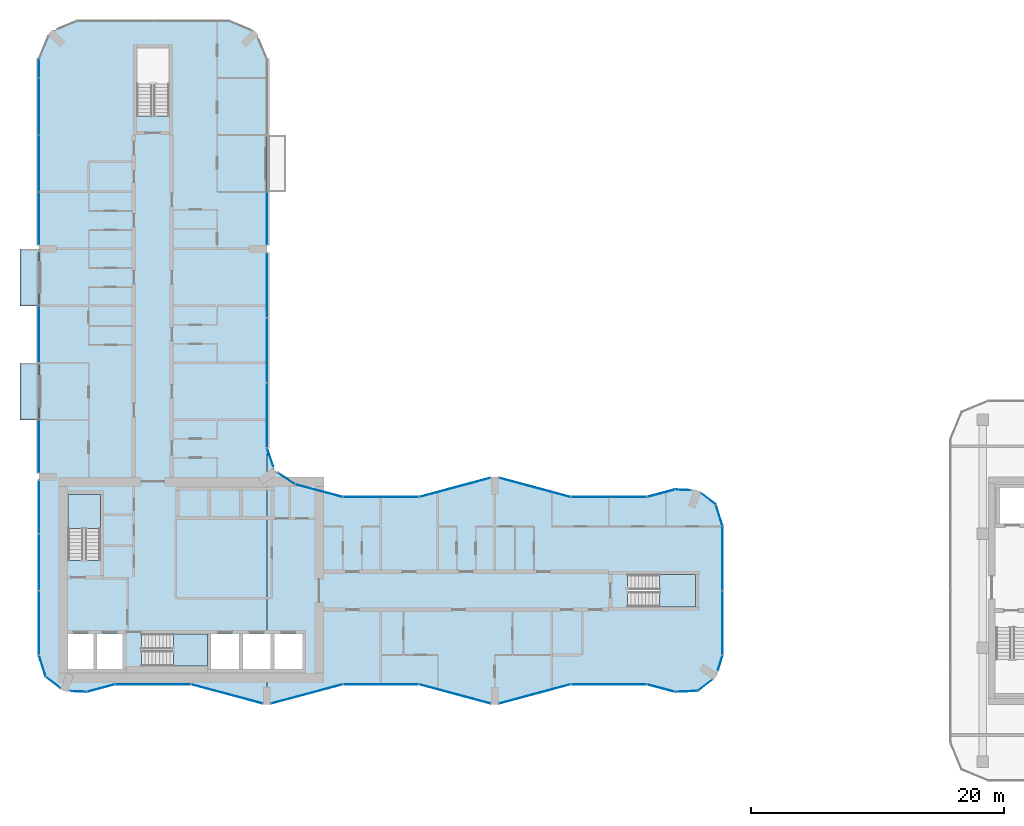
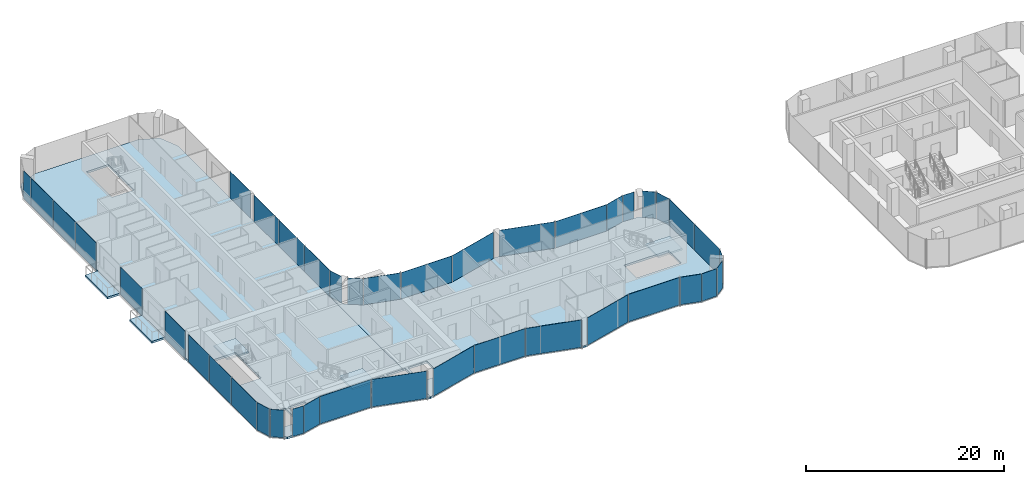
# One storey, part 12 of 24: 41 plates, 7 slabs, 36 elements without a shape of their own.
"""IFC4 building model written with IfcOpenShell, lengths in metres."""

from ifc_helpers import new_model, si_unit, direction, frame, origin, origin_2d, place, context, subcontext, project, spatial, polyline, rectangle, outline, extrude, material, layer, layer_set, type_object, element, aggregate, save


model = new_model("IFC4")

# Units and contexts
model_context = context("Model", 3, precision=1e-05, world=origin(), true_north=direction((0.0, 1.0)))
body_context = subcontext(model_context, "Body", "Model", "MODEL_VIEW")
ifc_project = project(units=[si_unit("LENGTHUNIT", "METRE"), si_unit("AREAUNIT", "SQUARE_METRE"), si_unit("VOLUMEUNIT", "CUBIC_METRE"), si_unit("PLANEANGLEUNIT", "RADIAN"), si_unit("MASSUNIT", "GRAM", prefix="KILO")], contexts=[model_context])

# Site, building, storey
site_placement = place(None, origin())
site = spatial("IfcSite", under=ifc_project, at=site_placement, CompositionType="ELEMENT")
building_placement = place(site_placement, origin())
building = spatial("IfcBuilding", under=site, at=building_placement, Name="Plateau Cross Towers", CompositionType="ELEMENT")
storey_placement = place(building_placement, frame((0.0, 0.0, 44.300048828125)))
storey = spatial("IfcBuildingStorey", under=building, at=storey_placement, Name="L10", CompositionType="ELEMENT", Elevation=44.300048828125)

# Slabs
ifc_material_1 = material(Name="Concrete C40/50", Category="concrete")
ifc_layer_1 = layer(ifc_material_1, 0.25)
ifc_layer_set_1 = layer_set([ifc_layer_1], Name="Concrete C40/50")
slab_type_1 = type_object("IfcSlabType", Name="Balcony slab 250", PredefinedType="FLOOR", material=ifc_layer_set_1)
slab_1_placement = place(storey_placement, frame((0.0, 0.0, -0.25)))
element("IfcSlab", 1, at=slab_1_placement, inside=storey, type_object=slab_type_1, Name="Balcony slab A-BAL-L10-01", PredefinedType="FLOOR", context=body_context, shape_type="SweptSolid", body=[
    extrude(outline(polyline([(0.0, 22.5), (0.0, 27.0), (-1.5, 27.0), (-1.5, 22.5), (0.0, 22.5)])), origin(), (0.0, 0.0, 1.0), 0.25),
])
slab_2_placement = place(storey_placement, frame((0.0, 0.0, -0.25)))
element("IfcSlab", 2, at=slab_2_placement, inside=storey, type_object=slab_type_1, Name="Balcony slab A-BAL-L10-02", PredefinedType="FLOOR", context=body_context, shape_type="SweptSolid", body=[
    extrude(outline(polyline([(0.0, 31.5), (0.0, 36.0), (-1.5, 36.0), (-1.5, 31.5), (0.0, 31.5)])), origin(), (0.0, 0.0, 1.0), 0.25),
])

# Curtain wall, plate
ifc_material_2 = material(Name="Dark low-iron glass", Category="glass")
ifc_layer_2 = layer(ifc_material_2, 0.239990234375)
ifc_layer_set_2 = layer_set([ifc_layer_2], Name="Dark low-iron glass")
curtain_wall_type_1 = type_object("IfcCurtainWallType", Name="Curtain wall flush unitised CW-B", PredefinedType="NOTDEFINED", material=ifc_layer_set_2)
curtain_wall_1_placement = place(storey_placement, origin())
curtain_wall_1 = element("IfcCurtainWall", 3, at=curtain_wall_1_placement, inside=storey, type_object=curtain_wall_type_1, Name="ENV/A/L10/A502_10", PredefinedType="NOTDEFINED")
ifc_layer_3 = layer(ifc_material_2, 0.031982421875)
ifc_layer_set_3 = layer_set([ifc_layer_3], Name="Dark low-iron glass")
plate_type_1 = type_object("IfcPlateType", Name="Glass panel 32 flush unitised", PredefinedType="CURTAIN_PANEL", material=ifc_layer_set_3)
plate_1_placement = place(storey_placement, frame((51.125, 1.05078125, -0.1298828125), z_axis=(0.0, 0.0, 1.0), x_axis=(0.999043701491, 0.043722791671, 0.0)))
plate_1 = element("IfcPlate", 4, at=plate_1_placement, type_object=plate_type_1, Name="CW-B panel 1", PredefinedType="CURTAIN_PANEL", context=body_context, shape_type="SweptSolid", body=[
    extrude(rectangle(XDim=1.744140625, YDim=0.031982421875, at=origin_2d()), origin(), (0.0, 0.0, 1.0), 3.3798828125),
])
aggregate(curtain_wall_1, [plate_1])

curtain_wall_2_placement = place(storey_placement, origin())
curtain_wall_2 = element("IfcCurtainWall", 5, at=curtain_wall_2_placement, inside=storey, type_object=curtain_wall_type_1, Name="ENV/A/L10/A520_11", PredefinedType="NOTDEFINED")
plate_2_placement = place(storey_placement, frame((52.60986328125, 1.5380859375, -0.1298828125), z_axis=(0.0, 0.0, 1.0), x_axis=(0.793315514529, 0.608810721331, 0.0)))
plate_2 = element("IfcPlate", 6, at=plate_2_placement, type_object=plate_type_1, Name="CW-B panel 1", PredefinedType="CURTAIN_PANEL", context=body_context, shape_type="SweptSolid", body=[
    extrude(rectangle(XDim=1.41162109375, YDim=0.031982421875, at=origin_2d()), origin(), (0.0, 0.0, 1.0), 3.3798828125),
])
aggregate(curtain_wall_2, [plate_2])

curtain_wall_3_placement = place(storey_placement, origin())
curtain_wall_3 = element("IfcCurtainWall", 7, at=curtain_wall_3_placement, inside=storey, type_object=curtain_wall_type_1, Name="ENV/A/L10/A536_27", PredefinedType="NOTDEFINED")
plate_3_placement = place(storey_placement, frame((53.805419921875, 3.292236328125, -0.1298828125), z_axis=(0.0, 0.0, 1.0), x_axis=(0.300686174994, 0.95372313811, 0.0)))
plate_3 = element("IfcPlate", 8, at=plate_3_placement, type_object=plate_type_1, Name="CW-B panel 1", PredefinedType="CURTAIN_PANEL", context=body_context, shape_type="SweptSolid", body=[
    extrude(rectangle(XDim=1.233642578125, YDim=0.031982421875, at=origin_2d()), origin(), (0.0, 0.0, 1.0), 3.3798828125),
])
aggregate(curtain_wall_3, [plate_3])

# Curtain wall, plates
curtain_wall_4_placement = place(storey_placement, origin())
curtain_wall_4 = element("IfcCurtainWall", 9, at=curtain_wall_4_placement, inside=storey, type_object=curtain_wall_type_1, Name="ENV/A/L10/A540_39", PredefinedType="NOTDEFINED")
plate_4_placement = place(storey_placement, frame((54.0, 6.45458984375, -0.1298828125), z_axis=(0.0, 0.0, 1.0), x_axis=(0.0, 1.0, 0.0)))
plate_4 = element("IfcPlate", 10, at=plate_4_placement, type_object=plate_type_1, Name="CW-B panel 1", PredefinedType="CURTAIN_PANEL", context=body_context, shape_type="SweptSolid", body=[
    extrude(rectangle(XDim=5.03076171875, YDim=0.031982421875, at=origin_2d()), origin(), (0.0, 0.0, 1.0), 3.3798828125),
])
plate_5_placement = place(storey_placement, frame((54.0, 11.54541015625, -0.1298828125), z_axis=(0.0, 0.0, 1.0), x_axis=(0.0, 1.0, 0.0)))
plate_5 = element("IfcPlate", 11, at=plate_5_placement, type_object=plate_type_1, Name="CW-B panel 2", PredefinedType="CURTAIN_PANEL", context=body_context, shape_type="SweptSolid", body=[
    extrude(rectangle(XDim=5.03076171875, YDim=0.031982421875, at=origin_2d()), origin(), (0.0, 0.0, 1.0), 3.3798828125),
])
aggregate(curtain_wall_4, [plate_4, plate_5])

# Curtain wall, plate
curtain_wall_5_placement = place(storey_placement, origin())
curtain_wall_5 = element("IfcCurtainWall", 12, at=curtain_wall_5_placement, inside=storey, type_object=curtain_wall_type_1, Name="ENV/A/L10/A540_141", PredefinedType="NOTDEFINED")
plate_6_placement = place(storey_placement, frame((53.728759765625, 14.951171875, -0.1298828125), z_axis=(0.0, 0.0, 1.0), x_axis=(-0.300686174994, 0.95372313811, 0.0)))
plate_6 = element("IfcPlate", 13, at=plate_6_placement, type_object=plate_type_1, Name="CW-B panel 1", PredefinedType="CURTAIN_PANEL", context=body_context, shape_type="SweptSolid", body=[
    extrude(rectangle(XDim=1.744140625, YDim=0.031982421875, at=origin_2d()), origin(), (0.0, 0.0, 1.0), 3.3798828125),
])
aggregate(curtain_wall_5, [plate_6])

curtain_wall_6_placement = place(storey_placement, origin())
curtain_wall_6 = element("IfcCurtainWall", 14, at=curtain_wall_6_placement, inside=storey, type_object=curtain_wall_type_1, Name="ENV/A/L10/A535_158", PredefinedType="NOTDEFINED")
plate_7_placement = place(storey_placement, frame((52.873779296875, 16.25927734375, -0.1298828125), z_axis=(0.0, 0.0, 1.0), x_axis=(-0.793315514529, 0.608810721331, 0.0)))
plate_7 = element("IfcPlate", 15, at=plate_7_placement, type_object=plate_type_1, Name="CW-B panel 1", PredefinedType="CURTAIN_PANEL", context=body_context, shape_type="SweptSolid", body=[
    extrude(rectangle(XDim=1.41162109375, YDim=0.031982421875, at=origin_2d()), origin(), (0.0, 0.0, 1.0), 3.3798828125),
])
aggregate(curtain_wall_6, [plate_7])

curtain_wall_7_placement = place(storey_placement, origin())
curtain_wall_7 = element("IfcCurtainWall", 16, at=curtain_wall_7_placement, inside=storey, type_object=curtain_wall_type_1, Name="ENV/A/L10/A515_169", PredefinedType="NOTDEFINED")
plate_8_placement = place(storey_placement, frame((50.8701171875, 16.96044921875, -0.1298828125), z_axis=(0.0, 0.0, 1.0), x_axis=(-0.999043701491, 0.043722791671, 0.0)))
plate_8 = element("IfcPlate", 17, at=plate_8_placement, type_object=plate_type_1, Name="CW-B panel 1", PredefinedType="CURTAIN_PANEL", context=body_context, shape_type="SweptSolid", body=[
    extrude(rectangle(XDim=1.233642578125, YDim=0.031982421875, at=origin_2d()), origin(), (0.0, 0.0, 1.0), 3.3798828125),
])
aggregate(curtain_wall_7, [plate_8])

curtain_wall_8_placement = place(storey_placement, origin())
curtain_wall_8 = element("IfcCurtainWall", 18, at=curtain_wall_8_placement, inside=storey, type_object=curtain_wall_type_1, Name="ENV/A/L10/A202_174", PredefinedType="NOTDEFINED")
plate_9_placement = place(storey_placement, frame((19.546630859375, 17.856689453125, -0.1298828125), z_axis=(0.0, 0.0, 1.0), x_axis=(-0.831521253329, 0.555492938984, 0.0)))
plate_9 = element("IfcPlate", 19, at=plate_9_placement, type_object=plate_type_1, Name="CW-B panel 1", PredefinedType="CURTAIN_PANEL", context=body_context, shape_type="SweptSolid", body=[
    extrude(rectangle(XDim=1.56884765625, YDim=0.031982421875, at=origin_2d()), origin(), (0.0, 0.0, 1.0), 3.3798828125),
])
aggregate(curtain_wall_8, [plate_9])

curtain_wall_9_placement = place(storey_placement, origin())
curtain_wall_9 = element("IfcCurtainWall", 20, at=curtain_wall_9_placement, inside=storey, type_object=curtain_wall_type_1, Name="ENV/A/L10/A185_188", PredefinedType="NOTDEFINED")
plate_10_placement = place(storey_placement, frame((18.26171875, 19.531005859375, -0.1298828125), z_axis=(0.0, 0.0, 1.0), x_axis=(-0.321469161574, 0.94692004845, 0.0)))
plate_10 = element("IfcPlate", 21, at=plate_10_placement, type_object=plate_type_1, Name="CW-B panel 1", PredefinedType="CURTAIN_PANEL", context=body_context, shape_type="SweptSolid", body=[
    extrude(rectangle(XDim=1.56884765625, YDim=0.031982421875, at=origin_2d()), origin(), (0.0, 0.0, 1.0), 3.3798828125),
])
aggregate(curtain_wall_9, [plate_10])

# Curtain wall, plates
curtain_wall_10_placement = place(storey_placement, origin())
curtain_wall_10 = element("IfcCurtainWall", 22, at=curtain_wall_10_placement, inside=storey, type_object=curtain_wall_type_1, Name="ENV/A/L10/A180_203", PredefinedType="NOTDEFINED")
plate_11_placement = place(storey_placement, frame((18.0, 22.86865234375, -0.1298828125), z_axis=(0.0, 0.0, 1.0), x_axis=(0.0, 1.0, 0.0)))
plate_11 = element("IfcPlate", 23, at=plate_11_placement, type_object=plate_type_1, Name="CW-B panel 1", PredefinedType="CURTAIN_PANEL", context=body_context, shape_type="SweptSolid", body=[
    extrude(rectangle(XDim=5.072509765625, YDim=0.031982421875, at=origin_2d()), origin(), (0.0, 0.0, 1.0), 3.3798828125),
])
plate_12_placement = place(storey_placement, frame((18.0, 28.001220703125, -0.1298828125), z_axis=(0.0, 0.0, 1.0), x_axis=(0.0, 1.0, 0.0)))
plate_12 = element("IfcPlate", 24, at=plate_12_placement, type_object=plate_type_1, Name="CW-B panel 2", PredefinedType="CURTAIN_PANEL", context=body_context, shape_type="SweptSolid", body=[
    extrude(rectangle(XDim=5.072509765625, YDim=0.031982421875, at=origin_2d()), origin(), (0.0, 0.0, 1.0), 3.3798828125),
])
plate_13_placement = place(storey_placement, frame((18.0, 33.1337890625, -0.1298828125), z_axis=(0.0, 0.0, 1.0), x_axis=(0.0, 1.0, 0.0)))
plate_13 = element("IfcPlate", 25, at=plate_13_placement, type_object=plate_type_1, Name="CW-B panel 3", PredefinedType="CURTAIN_PANEL", context=body_context, shape_type="SweptSolid", body=[
    extrude(rectangle(XDim=5.072509765625, YDim=0.031982421875, at=origin_2d()), origin(), (0.0, 0.0, 1.0), 3.3798828125),
])
aggregate(curtain_wall_10, [plate_11, plate_12, plate_13])

# Curtain wall, plate
curtain_wall_11_placement = place(storey_placement, origin())
curtain_wall_11 = element("IfcCurtainWall", 26, at=curtain_wall_11_placement, inside=storey, type_object=curtain_wall_type_1, Name="ENV/A/L10/A180_363", PredefinedType="NOTDEFINED")
plate_14_placement = place(storey_placement, frame((18.0, 38.39501953125, -0.1298828125), z_axis=(0.0, 0.0, 1.0), x_axis=(0.0, 1.0, 0.0)))
plate_14 = element("IfcPlate", 27, at=plate_14_placement, type_object=plate_type_1, Name="CW-B panel 1", PredefinedType="CURTAIN_PANEL", context=body_context, shape_type="SweptSolid", body=[
    extrude(rectangle(XDim=4.1298828125, YDim=0.031982421875, at=origin_2d()), origin(), (0.0, 0.0, 1.0), 3.3798828125),
])
aggregate(curtain_wall_11, [plate_14])

# Curtain wall, plates
curtain_wall_12_placement = place(storey_placement, origin())
curtain_wall_12 = element("IfcCurtainWall", 28, at=curtain_wall_12_placement, inside=storey, type_object=curtain_wall_type_1, Name="ENV/A/L10/A0_510", PredefinedType="NOTDEFINED")
plate_15_placement = place(storey_placement, frame((0.0, 50.25, -0.1298828125), z_axis=(0.0, 0.0, 1.0), x_axis=(0.0, -1.0, 0.0)))
plate_15 = element("IfcPlate", 29, at=plate_15_placement, type_object=plate_type_1, Name="CW-B panel 1", PredefinedType="CURTAIN_PANEL", context=body_context, shape_type="SweptSolid", body=[
    extrude(rectangle(XDim=1.43994140625, YDim=0.031982421875, at=origin_2d()), origin(), (0.0, 0.0, 1.0), 3.3798828125),
])
plate_16_placement = place(storey_placement, frame((0.0, 47.25, -0.1298828125), z_axis=(0.0, 0.0, 1.0), x_axis=(0.0, -1.0, 0.0)))
plate_16 = element("IfcPlate", 30, at=plate_16_placement, type_object=plate_type_1, Name="CW-B panel 2", PredefinedType="CURTAIN_PANEL", context=body_context, shape_type="SweptSolid", body=[
    extrude(rectangle(XDim=4.43994140625, YDim=0.031982421875, at=origin_2d()), origin(), (0.0, 0.0, 1.0), 3.3798828125),
])
plate_17_placement = place(storey_placement, frame((0.0, 42.75, -0.1298828125), z_axis=(0.0, 0.0, 1.0), x_axis=(0.0, -1.0, 0.0)))
plate_17 = element("IfcPlate", 31, at=plate_17_placement, type_object=plate_type_1, Name="CW-B panel 3", PredefinedType="CURTAIN_PANEL", context=body_context, shape_type="SweptSolid", body=[
    extrude(rectangle(XDim=4.43994140625, YDim=0.031982421875, at=origin_2d()), origin(), (0.0, 0.0, 1.0), 3.3798828125),
])
plate_18_placement = place(storey_placement, frame((0.0, 38.39990234375, -0.1298828125), z_axis=(0.0, 0.0, 1.0), x_axis=(0.0, -1.0, 0.0)))
plate_18 = element("IfcPlate", 32, at=plate_18_placement, type_object=plate_type_1, Name="CW-B panel 4", PredefinedType="CURTAIN_PANEL", context=body_context, shape_type="SweptSolid", body=[
    extrude(rectangle(XDim=4.139892578125, YDim=0.031982421875, at=origin_2d()), origin(), (0.0, 0.0, 1.0), 3.3798828125),
])
aggregate(curtain_wall_12, [plate_15, plate_16, plate_17, plate_18])

# Curtain wall, plate
curtain_wall_13_placement = place(storey_placement, origin())
curtain_wall_13 = element("IfcCurtainWall", 33, at=curtain_wall_13_placement, inside=storey, type_object=curtain_wall_type_1, Name="ENV/A/L10/A0_315", PredefinedType="NOTDEFINED")
plate_19_placement = place(storey_placement, frame((0.0, 29.25, -0.1298828125), z_axis=(0.0, 0.0, 1.0), x_axis=(0.0, -1.0, 0.0)))
plate_19 = element("IfcPlate", 34, at=plate_19_placement, type_object=plate_type_1, Name="CW-B panel 1", PredefinedType="CURTAIN_PANEL", context=body_context, shape_type="SweptSolid", body=[
    extrude(rectangle(XDim=4.419921875, YDim=0.031982421875, at=origin_2d()), origin(), (0.0, 0.0, 1.0), 3.3798828125),
])
aggregate(curtain_wall_13, [plate_19])

curtain_wall_14_placement = place(storey_placement, origin())
curtain_wall_14 = element("IfcCurtainWall", 35, at=curtain_wall_14_placement, inside=storey, type_object=curtain_wall_type_1, Name="ENV/A/L10/A0_225", PredefinedType="NOTDEFINED")
plate_20_placement = place(storey_placement, frame((0.0, 20.39501953125, -0.1298828125), z_axis=(0.0, 0.0, 1.0), x_axis=(0.0, -1.0, 0.0)))
plate_20 = element("IfcPlate", 36, at=plate_20_placement, type_object=plate_type_1, Name="CW-B panel 1", PredefinedType="CURTAIN_PANEL", context=body_context, shape_type="SweptSolid", body=[
    extrude(rectangle(XDim=4.1298828125, YDim=0.031982421875, at=origin_2d()), origin(), (0.0, 0.0, 1.0), 3.3798828125),
])
aggregate(curtain_wall_14, [plate_20])

# Curtain wall, plates
curtain_wall_15_placement = place(storey_placement, origin())
curtain_wall_15 = element("IfcCurtainWall", 37, at=curtain_wall_15_placement, inside=storey, type_object=curtain_wall_type_1, Name="ENV/A/L10/A0_177", PredefinedType="NOTDEFINED")
plate_21_placement = place(storey_placement, frame((0.0, 15.60009765625, -0.1298828125), z_axis=(0.0, 0.0, 1.0), x_axis=(0.0, -1.0, 0.0)))
plate_21 = element("IfcPlate", 38, at=plate_21_placement, type_object=plate_type_1, Name="CW-B panel 1", PredefinedType="CURTAIN_PANEL", context=body_context, shape_type="SweptSolid", body=[
    extrude(rectangle(XDim=4.139892578125, YDim=0.031982421875, at=origin_2d()), origin(), (0.0, 0.0, 1.0), 3.3798828125),
])
plate_22_placement = place(storey_placement, frame((0.0, 11.25, -0.1298828125), z_axis=(0.0, 0.0, 1.0), x_axis=(0.0, -1.0, 0.0)))
plate_22 = element("IfcPlate", 39, at=plate_22_placement, type_object=plate_type_1, Name="CW-B panel 2", PredefinedType="CURTAIN_PANEL", context=body_context, shape_type="SweptSolid", body=[
    extrude(rectangle(XDim=4.43994140625, YDim=0.031982421875, at=origin_2d()), origin(), (0.0, 0.0, 1.0), 3.3798828125),
])
plate_23_placement = place(storey_placement, frame((0.0, 6.45458984375, -0.1298828125), z_axis=(0.0, 0.0, 1.0), x_axis=(0.0, -1.0, 0.0)))
plate_23 = element("IfcPlate", 40, at=plate_23_placement, type_object=plate_type_1, Name="CW-B panel 3", PredefinedType="CURTAIN_PANEL", context=body_context, shape_type="SweptSolid", body=[
    extrude(rectangle(XDim=5.03076171875, YDim=0.031982421875, at=origin_2d()), origin(), (0.0, 0.0, 1.0), 3.3798828125),
])
aggregate(curtain_wall_15, [plate_21, plate_22, plate_23])

# Curtain wall, plate
curtain_wall_16_placement = place(storey_placement, origin())
curtain_wall_16 = element("IfcCurtainWall", 41, at=curtain_wall_16_placement, inside=storey, type_object=curtain_wall_type_1, Name="ENV/A/L10/A0_39", PredefinedType="NOTDEFINED")
plate_24_placement = place(storey_placement, frame((0.271240234375, 3.048828125, -0.1298828125), z_axis=(0.0, 0.0, 1.0), x_axis=(0.300686174994, -0.95372313811, 0.0)))
plate_24 = element("IfcPlate", 42, at=plate_24_placement, type_object=plate_type_1, Name="CW-B panel 1", PredefinedType="CURTAIN_PANEL", context=body_context, shape_type="SweptSolid", body=[
    extrude(rectangle(XDim=1.744140625, YDim=0.031982421875, at=origin_2d()), origin(), (0.0, 0.0, 1.0), 3.3798828125),
])
aggregate(curtain_wall_16, [plate_24])

curtain_wall_17_placement = place(storey_placement, origin())
curtain_wall_17 = element("IfcCurtainWall", 43, at=curtain_wall_17_placement, inside=storey, type_object=curtain_wall_type_1, Name="ENV/A/L10/A5_22", PredefinedType="NOTDEFINED")
plate_25_placement = place(storey_placement, frame((1.126220703125, 1.74072265625, -0.1298828125), z_axis=(0.0, 0.0, 1.0), x_axis=(0.793315514529, -0.608810721331, 0.0)))
plate_25 = element("IfcPlate", 44, at=plate_25_placement, type_object=plate_type_1, Name="CW-B panel 1", PredefinedType="CURTAIN_PANEL", context=body_context, shape_type="SweptSolid", body=[
    extrude(rectangle(XDim=1.41162109375, YDim=0.031982421875, at=origin_2d()), origin(), (0.0, 0.0, 1.0), 3.3798828125),
])
aggregate(curtain_wall_17, [plate_25])

curtain_wall_18_placement = place(storey_placement, origin())
curtain_wall_18 = element("IfcCurtainWall", 45, at=curtain_wall_18_placement, inside=storey, type_object=curtain_wall_type_1, Name="ENV/A/L10/A25_11", PredefinedType="NOTDEFINED")
plate_26_placement = place(storey_placement, frame((3.1298828125, 1.03955078125, -0.1298828125), z_axis=(0.0, 0.0, 1.0), x_axis=(0.999043701491, -0.043722791671, 0.0)))
plate_26 = element("IfcPlate", 46, at=plate_26_placement, type_object=plate_type_1, Name="CW-B panel 1", PredefinedType="CURTAIN_PANEL", context=body_context, shape_type="SweptSolid", body=[
    extrude(rectangle(XDim=1.233642578125, YDim=0.031982421875, at=origin_2d()), origin(), (0.0, 0.0, 1.0), 3.3798828125),
])
aggregate(curtain_wall_18, [plate_26])

ifc_layer_4 = layer(ifc_material_2, 0.260009765625)
ifc_layer_set_4 = layer_set([ifc_layer_4], Name="Dark low-iron glass")
curtain_wall_type_2 = type_object("IfcCurtainWallType", Name="Curtain wall fluted unitised CW-A", PredefinedType="NOTDEFINED", material=ifc_layer_set_4)
curtain_wall_19_placement = place(storey_placement, origin())
curtain_wall_19 = element("IfcCurtainWall", 47, at=curtain_wall_19_placement, inside=storey, type_object=curtain_wall_type_2, Name="ENV/A/L10/A38_10", PredefinedType="NOTDEFINED")
ifc_layer_5 = layer(ifc_material_2, 0.035888671875)
ifc_layer_set_5 = layer_set([ifc_layer_5], Name="Dark low-iron glass")
plate_type_2 = type_object("IfcPlateType", Name="Glass panel 36 fluted unitised", PredefinedType="CURTAIN_PANEL", material=ifc_layer_set_5)
plate_27_placement = place(storey_placement, frame((4.887939453125, 1.30908203125, -0.1298828125), z_axis=(0.0, 0.0, 1.0), x_axis=(0.965957962328, 0.258699081978, 0.0)))
plate_27 = element("IfcPlate", 48, at=plate_27_placement, type_object=plate_type_2, Name="CW-A panel 1", PredefinedType="CURTAIN_PANEL", context=body_context, shape_type="SweptSolid", body=[
    extrude(rectangle(XDim=2.2421875, YDim=0.035888671875, at=origin_2d()), origin(), (0.0, 0.0, 1.0), 3.3798828125),
])
aggregate(curtain_wall_19, [plate_27])

curtain_wall_20_placement = place(storey_placement, origin())
curtain_wall_20 = element("IfcCurtainWall", 49, at=curtain_wall_20_placement, inside=storey, type_object=curtain_wall_type_2, Name="ENV/A/L10/A60_16", PredefinedType="NOTDEFINED")
plate_28_placement = place(storey_placement, frame((9.0, 1.60693359375, -0.1298828125), z_axis=(0.0, 0.0, 1.0), x_axis=(1.0, 0.0, 0.0)))
plate_28 = element("IfcPlate", 50, at=plate_28_placement, type_object=plate_type_2, Name="CW-A panel 1", PredefinedType="CURTAIN_PANEL", context=body_context, shape_type="SweptSolid", body=[
    extrude(rectangle(XDim=5.93994140625, YDim=0.035888671875, at=origin_2d()), origin(), (0.0, 0.0, 1.0), 3.3798828125),
])
aggregate(curtain_wall_20, [plate_28])

curtain_wall_21_placement = place(storey_placement, origin())
curtain_wall_21 = element("IfcCurtainWall", 51, at=curtain_wall_21_placement, inside=storey, type_object=curtain_wall_type_2, Name="ENV/A/L10/A120_16", PredefinedType="NOTDEFINED")
plate_29_placement = place(storey_placement, frame((14.841064453125, 0.845947265625, -0.1298828125), z_axis=(0.0, 0.0, 1.0), x_axis=(0.965957983404, -0.258699003279, 0.0)))
plate_29 = element("IfcPlate", 52, at=plate_29_placement, type_object=plate_type_2, Name="CW-A panel 1", PredefinedType="CURTAIN_PANEL", context=body_context, shape_type="SweptSolid", body=[
    extrude(rectangle(XDim=5.822265625, YDim=0.035888671875, at=origin_2d()), origin(), (0.0, 0.0, 1.0), 3.3798828125),
])
aggregate(curtain_wall_21, [plate_29])

curtain_wall_22_placement = place(storey_placement, origin())
curtain_wall_22 = element("IfcCurtainWall", 53, at=curtain_wall_22_placement, inside=storey, type_object=curtain_wall_type_2, Name="ENV/A/L10/A183_1", PredefinedType="NOTDEFINED")
plate_30_placement = place(storey_placement, frame((21.158935546875, 0.845947265625, -0.1298828125), z_axis=(0.0, 0.0, 1.0), x_axis=(0.965957983404, 0.258699003279, 0.0)))
plate_30 = element("IfcPlate", 54, at=plate_30_placement, type_object=plate_type_2, Name="CW-A panel 1", PredefinedType="CURTAIN_PANEL", context=body_context, shape_type="SweptSolid", body=[
    extrude(rectangle(XDim=5.822265625, YDim=0.035888671875, at=origin_2d()), origin(), (0.0, 0.0, 1.0), 3.3798828125),
])
aggregate(curtain_wall_22, [plate_30])

curtain_wall_23_placement = place(storey_placement, origin())
curtain_wall_23 = element("IfcCurtainWall", 55, at=curtain_wall_23_placement, inside=storey, type_object=curtain_wall_type_2, Name="ENV/A/L10/A240_16", PredefinedType="NOTDEFINED")
plate_31_placement = place(storey_placement, frame((27.0, 1.60693359375, -0.1298828125), z_axis=(0.0, 0.0, 1.0), x_axis=(1.0, 0.0, 0.0)))
plate_31 = element("IfcPlate", 56, at=plate_31_placement, type_object=plate_type_2, Name="CW-A panel 1", PredefinedType="CURTAIN_PANEL", context=body_context, shape_type="SweptSolid", body=[
    extrude(rectangle(XDim=5.93994140625, YDim=0.035888671875, at=origin_2d()), origin(), (0.0, 0.0, 1.0), 3.3798828125),
])
aggregate(curtain_wall_23, [plate_31])

curtain_wall_24_placement = place(storey_placement, origin())
curtain_wall_24 = element("IfcCurtainWall", 57, at=curtain_wall_24_placement, inside=storey, type_object=curtain_wall_type_2, Name="ENV/A/L10/A300_16", PredefinedType="NOTDEFINED")
plate_32_placement = place(storey_placement, frame((32.841064453125, 0.845947265625, -0.1298828125), z_axis=(0.0, 0.0, 1.0), x_axis=(0.965957983404, -0.258699003279, 0.0)))
plate_32 = element("IfcPlate", 58, at=plate_32_placement, type_object=plate_type_2, Name="CW-A panel 1", PredefinedType="CURTAIN_PANEL", context=body_context, shape_type="SweptSolid", body=[
    extrude(rectangle(XDim=5.822265625, YDim=0.035888671875, at=origin_2d()), origin(), (0.0, 0.0, 1.0), 3.3798828125),
])
aggregate(curtain_wall_24, [plate_32])

curtain_wall_25_placement = place(storey_placement, origin())
curtain_wall_25 = element("IfcCurtainWall", 59, at=curtain_wall_25_placement, inside=storey, type_object=curtain_wall_type_2, Name="ENV/A/L10/A363_1", PredefinedType="NOTDEFINED")
plate_33_placement = place(storey_placement, frame((39.158935546875, 0.845947265625, -0.1298828125), z_axis=(0.0, 0.0, 1.0), x_axis=(0.965957983404, 0.258699003279, 0.0)))
plate_33 = element("IfcPlate", 60, at=plate_33_placement, type_object=plate_type_2, Name="CW-A panel 1", PredefinedType="CURTAIN_PANEL", context=body_context, shape_type="SweptSolid", body=[
    extrude(rectangle(XDim=5.822265625, YDim=0.035888671875, at=origin_2d()), origin(), (0.0, 0.0, 1.0), 3.3798828125),
])
aggregate(curtain_wall_25, [plate_33])

curtain_wall_26_placement = place(storey_placement, origin())
curtain_wall_26 = element("IfcCurtainWall", 61, at=curtain_wall_26_placement, inside=storey, type_object=curtain_wall_type_2, Name="ENV/A/L10/A420_16", PredefinedType="NOTDEFINED")
plate_34_placement = place(storey_placement, frame((45.0, 1.60693359375, -0.1298828125), z_axis=(0.0, 0.0, 1.0), x_axis=(1.0, 0.0, 0.0)))
plate_34 = element("IfcPlate", 62, at=plate_34_placement, type_object=plate_type_2, Name="CW-A panel 1", PredefinedType="CURTAIN_PANEL", context=body_context, shape_type="SweptSolid", body=[
    extrude(rectangle(XDim=5.93994140625, YDim=0.035888671875, at=origin_2d()), origin(), (0.0, 0.0, 1.0), 3.3798828125),
])
aggregate(curtain_wall_26, [plate_34])

curtain_wall_27_placement = place(storey_placement, origin())
curtain_wall_27 = element("IfcCurtainWall", 63, at=curtain_wall_27_placement, inside=storey, type_object=curtain_wall_type_2, Name="ENV/A/L10/A480_16", PredefinedType="NOTDEFINED")
plate_35_placement = place(storey_placement, frame((49.112060546875, 1.30908203125, -0.1298828125), z_axis=(0.0, 0.0, 1.0), x_axis=(0.965957962328, -0.258699081978, 0.0)))
plate_35 = element("IfcPlate", 64, at=plate_35_placement, type_object=plate_type_2, Name="CW-A panel 1", PredefinedType="CURTAIN_PANEL", context=body_context, shape_type="SweptSolid", body=[
    extrude(rectangle(XDim=2.2421875, YDim=0.035888671875, at=origin_2d()), origin(), (0.0, 0.0, 1.0), 3.3798828125),
])
aggregate(curtain_wall_27, [plate_35])

curtain_wall_28_placement = place(storey_placement, origin())
curtain_wall_28 = element("IfcCurtainWall", 65, at=curtain_wall_28_placement, inside=storey, type_object=curtain_wall_type_2, Name="ENV/A/L10/A502_170", PredefinedType="NOTDEFINED")
plate_36_placement = place(storey_placement, frame((49.112060546875, 16.69091796875, -0.1298828125), z_axis=(0.0, 0.0, 1.0), x_axis=(-0.965957962328, -0.258699081978, 0.0)))
plate_36 = element("IfcPlate", 66, at=plate_36_placement, type_object=plate_type_2, Name="CW-A panel 1", PredefinedType="CURTAIN_PANEL", context=body_context, shape_type="SweptSolid", body=[
    extrude(rectangle(XDim=2.2421875, YDim=0.035888671875, at=origin_2d()), origin(), (0.0, 0.0, 1.0), 3.3798828125),
])
aggregate(curtain_wall_28, [plate_36])

curtain_wall_29_placement = place(storey_placement, origin())
curtain_wall_29 = element("IfcCurtainWall", 67, at=curtain_wall_29_placement, inside=storey, type_object=curtain_wall_type_2, Name="ENV/A/L10/A480_164", PredefinedType="NOTDEFINED")
plate_37_placement = place(storey_placement, frame((45.0, 16.39306640625, -0.1298828125), z_axis=(0.0, 0.0, 1.0), x_axis=(-1.0, 0.0, 0.0)))
plate_37 = element("IfcPlate", 68, at=plate_37_placement, type_object=plate_type_2, Name="CW-A panel 1", PredefinedType="CURTAIN_PANEL", context=body_context, shape_type="SweptSolid", body=[
    extrude(rectangle(XDim=5.93994140625, YDim=0.035888671875, at=origin_2d()), origin(), (0.0, 0.0, 1.0), 3.3798828125),
])
aggregate(curtain_wall_29, [plate_37])

curtain_wall_30_placement = place(storey_placement, origin())
curtain_wall_30 = element("IfcCurtainWall", 69, at=curtain_wall_30_placement, inside=storey, type_object=curtain_wall_type_2, Name="ENV/A/L10/A420_164", PredefinedType="NOTDEFINED")
plate_38_placement = place(storey_placement, frame((39.158935546875, 17.154052734375, -0.1298828125), z_axis=(0.0, 0.0, 1.0), x_axis=(-0.965957983404, 0.258699003279, 0.0)))
plate_38 = element("IfcPlate", 70, at=plate_38_placement, type_object=plate_type_2, Name="CW-A panel 1", PredefinedType="CURTAIN_PANEL", context=body_context, shape_type="SweptSolid", body=[
    extrude(rectangle(XDim=5.822265625, YDim=0.035888671875, at=origin_2d()), origin(), (0.0, 0.0, 1.0), 3.3798828125),
])
aggregate(curtain_wall_30, [plate_38])

curtain_wall_31_placement = place(storey_placement, origin())
curtain_wall_31 = element("IfcCurtainWall", 71, at=curtain_wall_31_placement, inside=storey, type_object=curtain_wall_type_2, Name="ENV/A/L10/A357_179", PredefinedType="NOTDEFINED")
plate_39_placement = place(storey_placement, frame((32.841064453125, 17.154052734375, -0.1298828125), z_axis=(0.0, 0.0, 1.0), x_axis=(-0.965957983404, -0.258699003279, 0.0)))
plate_39 = element("IfcPlate", 72, at=plate_39_placement, type_object=plate_type_2, Name="CW-A panel 1", PredefinedType="CURTAIN_PANEL", context=body_context, shape_type="SweptSolid", body=[
    extrude(rectangle(XDim=5.822265625, YDim=0.035888671875, at=origin_2d()), origin(), (0.0, 0.0, 1.0), 3.3798828125),
])
aggregate(curtain_wall_31, [plate_39])

curtain_wall_32_placement = place(storey_placement, origin())
curtain_wall_32 = element("IfcCurtainWall", 73, at=curtain_wall_32_placement, inside=storey, type_object=curtain_wall_type_2, Name="ENV/A/L10/A300_164", PredefinedType="NOTDEFINED")
plate_40_placement = place(storey_placement, frame((27.0, 16.39306640625, -0.1298828125), z_axis=(0.0, 0.0, 1.0), x_axis=(-1.0, 0.0, 0.0)))
plate_40 = element("IfcPlate", 74, at=plate_40_placement, type_object=plate_type_2, Name="CW-A panel 1", PredefinedType="CURTAIN_PANEL", context=body_context, shape_type="SweptSolid", body=[
    extrude(rectangle(XDim=5.93994140625, YDim=0.035888671875, at=origin_2d()), origin(), (0.0, 0.0, 1.0), 3.3798828125),
])
aggregate(curtain_wall_32, [plate_40])

curtain_wall_33_placement = place(storey_placement, origin())
curtain_wall_33 = element("IfcCurtainWall", 75, at=curtain_wall_33_placement, inside=storey, type_object=curtain_wall_type_2, Name="ENV/A/L10/A240_164", PredefinedType="NOTDEFINED")
plate_41_placement = place(storey_placement, frame((22.112060546875, 16.898681640625, -0.1298828125), z_axis=(0.0, 0.0, 1.0), x_axis=(-0.965957995816, 0.258698956933, 0.0)))
plate_41 = element("IfcPlate", 76, at=plate_41_placement, type_object=plate_type_2, Name="CW-A panel 1", PredefinedType="CURTAIN_PANEL", context=body_context, shape_type="SweptSolid", body=[
    extrude(rectangle(XDim=3.84912109375, YDim=0.035888671875, at=origin_2d()), origin(), (0.0, 0.0, 1.0), 3.3798828125),
])
aggregate(curtain_wall_33, [plate_41])

# Slabs
ifc_layer_6 = layer(ifc_material_1, 0.25)
ifc_layer_set_6 = layer_set([ifc_layer_6], Name="Concrete C40/50")
slab_type_2 = type_object("IfcSlabType", Name="Post-tensioned flat plate slab 250", PredefinedType="FLOOR", material=ifc_layer_set_6)
slab_3_placement = place(storey_placement, frame((0.0, 0.0, -0.25)))
element("IfcSlab", 77, at=slab_3_placement, inside=storey, type_object=slab_type_2, Name="SL-A-L10 1", PredefinedType="FLOOR", context=body_context, shape_type="SweptSolid", body=[
    extrude(outline(polyline([(0.54248046875, 2.1884765625), (0.0, 3.9091796875), (0.0, 51.0), (0.878662109375, 53.121337890625), (3.0, 54.0), (15.0, 54.0), (17.121337890625, 53.121337890625), (18.0, 51.0), (18.0, 20.30224609375), (18.0, 5.60009765625), (16.10009765625, 5.60009765625), (16.10009765625, 2.800048828125), (18.0, 2.800048828125), (18.0, 0.0), (12.0, 1.60693359375), (6.0, 1.60693359375), (3.776123046875, 1.01123046875), (1.9736328125, 1.090087890625), (0.54248046875, 2.1884765625)]), holes=[polyline([(4.300048828125, 5.60009765625), (2.300048828125, 5.60009765625), (2.300048828125, 2.800048828125), (4.300048828125, 2.800048828125), (4.300048828125, 5.60009765625)]), polyline([(6.60009765625, 5.60009765625), (4.60009765625, 5.60009765625), (4.60009765625, 2.800048828125), (6.60009765625, 2.800048828125), (6.60009765625, 5.60009765625)]), polyline([(15.800048828125, 5.60009765625), (13.60009765625, 5.60009765625), (13.60009765625, 2.800048828125), (15.800048828125, 2.800048828125), (15.800048828125, 5.60009765625)]), polyline([(13.300048828125, 5.60009765625), (8.10009765625, 5.60009765625), (8.10009765625, 3.050048828125), (13.300048828125, 3.050048828125), (13.300048828125, 5.60009765625)]), polyline([(4.85009765625, 16.60009765625), (2.300048828125, 16.60009765625), (2.300048828125, 11.39990234375), (4.85009765625, 11.39990234375), (4.85009765625, 16.60009765625)]), polyline([(7.72509765625, 51.699951171875), (7.72509765625, 46.5), (10.27490234375, 46.5), (10.27490234375, 51.699951171875), (7.72509765625, 51.699951171875)])]), origin(), (0.0, 0.0, 1.0), 0.25),
])
slab_4_placement = place(storey_placement, frame((0.0, 0.0, -0.25)))
element("IfcSlab", 78, at=slab_4_placement, inside=storey, type_object=slab_type_2, Name="SL-A-L10 2", PredefinedType="FLOOR", context=body_context, shape_type="SweptSolid", body=[
    extrude(outline(polyline([(18.6201171875, 18.475830078125), (20.223876953125, 17.404296875), (24.0, 16.39306640625), (30.0, 16.39306640625), (36.0, 18.0), (42.0, 16.39306640625), (48.0, 16.39306640625), (50.223876953125, 16.98876953125), (52.0263671875, 16.909912109375), (53.45751953125, 15.8115234375), (54.0, 14.0908203125), (54.0, 3.9091796875), (53.45751953125, 2.1884765625), (52.0263671875, 1.090087890625), (50.223876953125, 1.01123046875), (48.0, 1.60693359375), (42.0, 1.60693359375), (36.0, 0.0), (30.0, 1.60693359375), (24.0, 1.60693359375), (18.0, 0.0), (18.0, 2.800048828125), (18.300048828125, 2.800048828125), (18.300048828125, 5.60009765625), (18.0, 5.60009765625), (18.0, 20.30224609375), (18.6201171875, 18.475830078125)]), holes=[polyline([(20.800048828125, 5.60009765625), (18.60009765625, 5.60009765625), (18.60009765625, 2.800048828125), (20.800048828125, 2.800048828125), (20.800048828125, 5.60009765625)]), polyline([(51.699951171875, 7.72509765625), (51.699951171875, 10.27490234375), (46.5, 10.27490234375), (46.5, 7.72509765625), (51.699951171875, 7.72509765625)])]), origin(), (0.0, 0.0, 1.0), 0.25),
])

# Stair, slab
stair_type = type_object("IfcStairType", Name="ST-TWR", PredefinedType="HALF_TURN_STAIR", material=ifc_material_1)
stair_1_placement = place(storey_placement, origin())
stair_1 = element("IfcStair", 79, at=stair_1_placement, inside=storey, type_object=stair_type, Name="L10 Protected Exit Stair ST-1", PredefinedType="HALF_TURN_STAIR")
ifc_layer_7 = layer(ifc_material_1, 0.199951171875)
ifc_layer_set_7 = layer_set([ifc_layer_7], Name="Concrete C40/50")
slab_type_3 = type_object("IfcSlabType", Name="SL-LANDING", PredefinedType="LANDING", material=ifc_layer_set_7)
slab_5_placement = place(storey_placement, frame((0.0, 0.0, 1.550048828125)))
slab_5 = element("IfcSlab", 80, at=slab_5_placement, type_object=slab_type_3, Name="ST-1 landing 1", PredefinedType="LANDING", context=body_context, shape_type="SweptSolid", body=[
    extrude(outline(polyline([(4.85009765625, 13.919921875), (4.85009765625, 16.60009765625), (2.300048828125, 16.60009765625), (2.300048828125, 13.919921875), (4.85009765625, 13.919921875)])), origin(), (0.0, 0.0, 1.0), 0.199951171875),
])
aggregate(stair_1, [slab_5])

stair_2_placement = place(storey_placement, origin())
stair_2 = element("IfcStair", 81, at=stair_2_placement, inside=storey, type_object=stair_type, Name="L10 Protected Exit Stair ST-2", PredefinedType="HALF_TURN_STAIR")
slab_6_placement = place(storey_placement, frame((0.0, 0.0, 1.550048828125)))
slab_6 = element("IfcSlab", 82, at=slab_6_placement, type_object=slab_type_3, Name="ST-2 landing 1", PredefinedType="LANDING", context=body_context, shape_type="SweptSolid", body=[
    extrude(outline(polyline([(10.6201171875, 3.050048828125), (13.300048828125, 3.050048828125), (13.300048828125, 5.60009765625), (10.6201171875, 5.60009765625), (10.6201171875, 3.050048828125)])), origin(), (0.0, 0.0, 1.0), 0.199951171875),
])
aggregate(stair_2, [slab_6])

stair_3_placement = place(storey_placement, origin())
stair_3 = element("IfcStair", 83, at=stair_3_placement, inside=storey, type_object=stair_type, Name="L10 Protected Exit Stair E", PredefinedType="HALF_TURN_STAIR")
slab_7_placement = place(storey_placement, frame((0.0, 0.0, 1.550048828125)))
slab_7 = element("IfcSlab", 84, at=slab_7_placement, type_object=slab_type_3, Name="ES-E landing 1", PredefinedType="LANDING", context=body_context, shape_type="SweptSolid", body=[
    extrude(outline(polyline([(49.02001953125, 7.72509765625), (51.85009765625, 7.72509765625), (51.85009765625, 10.27490234375), (49.02001953125, 10.27490234375), (49.02001953125, 7.72509765625)])), origin(), (0.0, 0.0, 1.0), 0.199951171875),
])
aggregate(stair_3, [slab_7])

save(model, "model.ifc")
